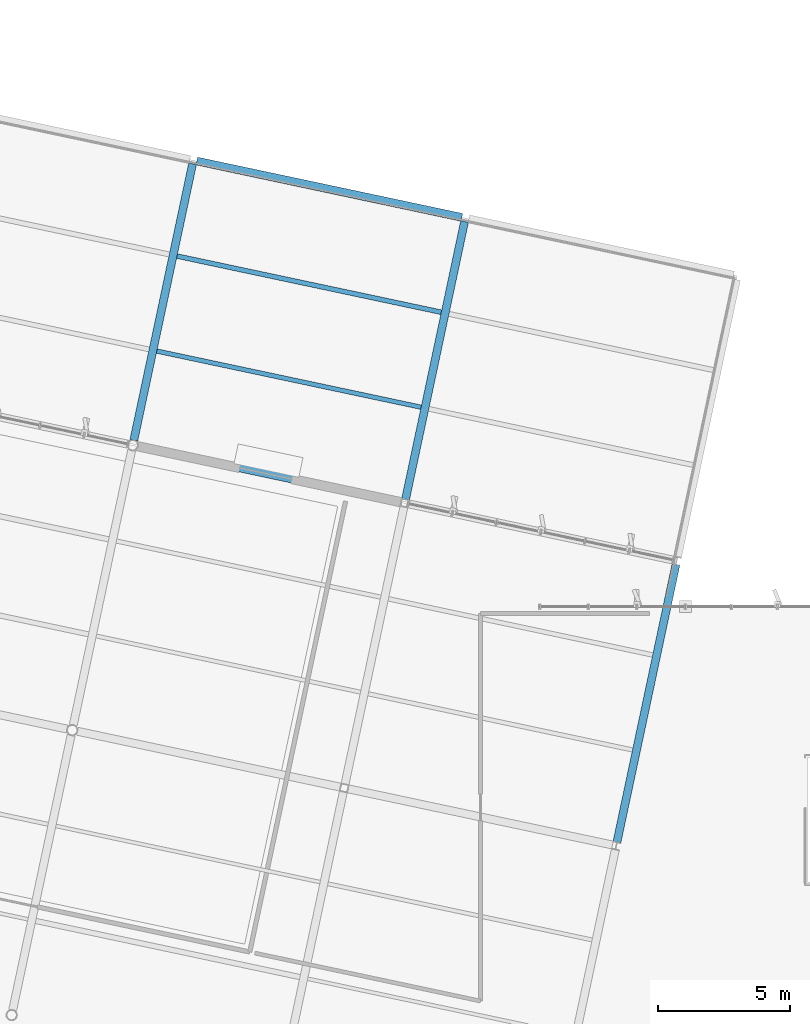
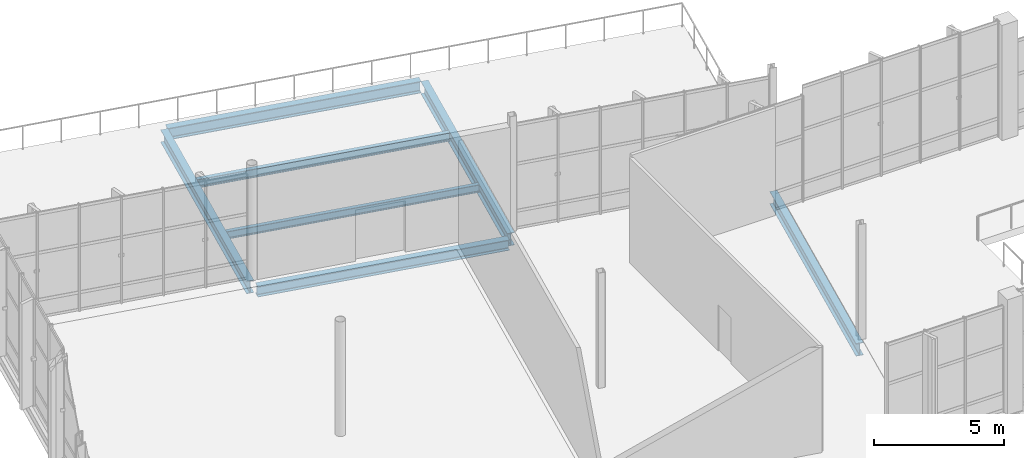
# One storey, part 42 of 176: 7 beams.
"""IFC4 building model written with IfcOpenShell, lengths in metres."""

import ifcopenshell
import ifcopenshell.guid

model = None  # the IFC model being written
_history = None  # IfcOwnerHistory: only IFC2X3 demands one
_inside = {}  # id of a spatial element -> (the spatial element, [elements in it])
_under = {}  # id of a project, library or spatial element -> (it, [spatial elements below it])
_declared = {}  # id of a project -> (the project, [libraries it declares])
_typed = {}  # id of a type object -> (the type object, [elements of that type])
_made_of = {}  # id of a material, layer set ... -> (it, [elements and type objects made of it])


def new_model(schema):
    """Start an empty IFC model of exactly this schema.

    Asked for "IFC4X3", IfcOpenShell would pick the latest addendum, in which some entities
    have other attributes; the version numbers below select the first issue.
    IFC2X3 requires an IfcOwnerHistory on every rooted entity: one is made here for all.
    """
    global model, _history
    if schema == "IFC4X3":
        model = ifcopenshell.file(schema_version=(4, 3, 0, 0))
    else:
        model = ifcopenshell.file(schema=schema)
    _inside.clear()
    _under.clear()
    _declared.clear()
    _typed.clear()
    _made_of.clear()
    _history = None
    if model.schema == "IFC2X3":
        org = make("IfcOrganization", Name="unknown")
        user = make(
            "IfcPersonAndOrganization",
            ThePerson=make("IfcPerson", FamilyName="unknown"),
            TheOrganization=org,
        )
        app = make(
            "IfcApplication",
            ApplicationDeveloper=org,
            Version="unknown",
            ApplicationFullName="unknown",
            ApplicationIdentifier="unknown",
        )
        _history = make(
            "IfcOwnerHistory",
            OwningUser=user,
            OwningApplication=app,
            ChangeAction="ADDED",
            CreationDate=0,
        )
    return model


def make(cls, **values):
    """One entity of the class cls with the attributes given. An attribute that is None is left unset."""
    return model.create_entity(
        cls, **{name: value for name, value in values.items() if value is not None}
    )


def rooted(cls, **values):
    """An entity with a GlobalId (a new one), such as an element, a storey or a relation."""
    return make(cls, GlobalId=ifcopenshell.guid.new(), OwnerHistory=_history, **values)


def si_unit(unit_type, name, prefix=None):
    """IfcSIUnit, for example si_unit("LENGTHUNIT", "METRE", prefix="MILLI")."""
    return make("IfcSIUnit", UnitType=unit_type, Prefix=prefix, Name=name)


def assignment(units):
    """IfcUnitAssignment: the units of a project."""
    return None if units is None else make("IfcUnitAssignment", Units=units)


def point(xyz):
    """IfcCartesianPoint."""
    return None if xyz is None else make("IfcCartesianPoint", Coordinates=xyz)


def direction(xyz):
    """IfcDirection."""
    return None if xyz is None else make("IfcDirection", DirectionRatios=xyz)


def frame(location, z_axis=None, x_axis=None):
    """IfcAxis2Placement3D, a coordinate frame: its origin and axes. An axis left out is left unset."""
    return make(
        "IfcAxis2Placement3D",
        Location=point(location),
        Axis=direction(z_axis),
        RefDirection=direction(x_axis),
    )


def frame_2d(location, x_axis=None):
    """IfcAxis2Placement2D, a coordinate frame in the plane: its origin and x axis."""
    return make(
        "IfcAxis2Placement2D", Location=point(location), RefDirection=direction(x_axis)
    )


def origin():
    """The frame at (0, 0, 0) with its axes left unset."""
    return frame((0.0, 0.0, 0.0))


def origin_2d():
    """The frame at (0, 0) in the plane with its x axis left unset."""
    return frame_2d((0.0, 0.0))


def place(relative_to, where):
    """IfcLocalPlacement: puts the frame where relative to a parent placement (None: the world)."""
    return make(
        "IfcLocalPlacement", PlacementRelTo=relative_to, RelativePlacement=where
    )


def context(
    kind, dimensions, precision=None, world=None, true_north=None, identifier=None
):
    """IfcGeometricRepresentationContext, for example the 3D "Model" context."""
    return make(
        "IfcGeometricRepresentationContext",
        ContextIdentifier=identifier,
        ContextType=kind,
        CoordinateSpaceDimension=dimensions,
        Precision=precision,
        WorldCoordinateSystem=world,
        TrueNorth=true_north,
    )


def subcontext(parent, identifier, kind, view, scale=None):
    """IfcGeometricRepresentationSubContext, for example "Body" below "Model"."""
    return make(
        "IfcGeometricRepresentationSubContext",
        ContextIdentifier=identifier,
        ContextType=kind,
        ParentContext=parent,
        TargetScale=scale,
        TargetView=view,
    )


def project(units=None, contexts=None):
    """IfcProject with its units and contexts."""
    return rooted(
        "IfcProject",
        Name="project",
        RepresentationContexts=contexts,
        UnitsInContext=assignment(units),
    )


def spatial(cls, under=None, at=None, **own):
    """A site, building, storey or space (cls), placed at a placement, below another one or the project."""
    s = rooted(cls, ObjectPlacement=at, **own)
    if under is not None:
        _under.setdefault(under.id(), (under, []))[1].append(s)
    return s


def profile(cls, at=None, kind="AREA", **sizes):
    """A parametric profile (cls). Its sizes go by their IFC names, for example OverallWidth=200.0."""
    return make(cls, ProfileType=kind, Position=at, **sizes)


def i_section(**sizes):
    """IfcIShapeProfileDef."""
    return profile("IfcIShapeProfileDef", **sizes)


def extrude(swept, where, along, depth):
    """IfcExtrudedAreaSolid: the profile swept, set in the frame where, extruded along a direction by depth."""
    return make(
        "IfcExtrudedAreaSolid",
        SweptArea=swept,
        Position=where,
        ExtrudedDirection=direction(along),
        Depth=depth,
    )


def shape(context_of_items, identifier, shape_type, items):
    """IfcShapeRepresentation: the items that make up one representation, for example the "Body"."""
    return make(
        "IfcShapeRepresentation",
        ContextOfItems=context_of_items,
        RepresentationIdentifier=identifier,
        RepresentationType=shape_type,
        Items=items,
    )


def material(Name=None, Category=None):
    """IfcMaterial."""
    return make("IfcMaterial", Name=Name, Category=Category)


def material_profile(
    of_material, cross_section, Name=None, Category=None, Priority=None
):
    """IfcMaterialProfile: a cross section and its material."""
    return make(
        "IfcMaterialProfile",
        Name=Name,
        Material=of_material,
        Profile=cross_section,
        Priority=Priority,
        Category=Category,
    )


def profile_set(profiles, Name=None, composite=None):
    """IfcMaterialProfileSet."""
    return make(
        "IfcMaterialProfileSet",
        Name=Name,
        MaterialProfiles=profiles,
        CompositeProfile=composite,
    )


def made_of(thing, what):
    """Note that an element or type object is made of a material, layer set ...; save() writes the relation."""
    if what is not None:
        _made_of.setdefault(what.id(), (what, []))[1].append(thing)
    return thing


def type_object(cls, material=None, **own):
    """A type object (cls), such as IfcWallType, which elements share."""
    return made_of(rooted(cls, **own), material)


def element(
    cls,
    number,
    at=None,
    inside=None,
    cuts=None,
    type_object=None,
    material=None,
    context=None,
    identifier="Body",
    shape_type=None,
    held_by="IfcProductDefinitionShape",
    body=None,
    shapes=None,
    **own,
):
    """One element of the class cls, such as IfcWall. Its Tag is "e" and its number.

    at: its placement. inside: the storey or other place that contains it. cuts: it is an
    opening in that element (IfcRelVoidsElement). A single representation is given by context,
    identifier, shape_type and body (its items); several are given by shapes. held_by: the class
    of the entity that holds the representations. save() writes the other relations.
    """
    e = rooted(cls, Tag="e%d" % number, ObjectPlacement=at, **own)
    if body is not None:
        shapes = [shape(context, identifier, shape_type, body)]
    if shapes is not None:
        e.Representation = make(held_by, Representations=shapes)
    if inside is not None:
        _inside.setdefault(inside.id(), (inside, []))[1].append(e)
    if cuts is not None:
        rooted(
            "IfcRelVoidsElement", RelatingBuildingElement=cuts, RelatedOpeningElement=e
        )
    if type_object is not None:
        _typed.setdefault(type_object.id(), (type_object, []))[1].append(e)
    return made_of(e, material)


def aggregate(whole, parts):
    """IfcRelAggregates: a whole, such as a stair, and the parts it consists of."""
    return rooted("IfcRelAggregates", RelatingObject=whole, RelatedObjects=parts)


def save(model, path):
    """Write the relations noted so far, then the file.

    IfcRelAggregates (storeys below a building ...), IfcRelContainedInSpatialStructure (elements
    in a storey), IfcRelDefinesByType, IfcRelAssociatesMaterial and IfcRelDeclares: one each for
    every whole, place, type object, material and project.
    """
    for whole, parts in _under.values():
        aggregate(whole, parts)
    for where, things in _inside.values():
        rooted(
            "IfcRelContainedInSpatialStructure",
            RelatedElements=things,
            RelatingStructure=where,
        )
    for kind, things in _typed.values():
        rooted("IfcRelDefinesByType", RelatedObjects=things, RelatingType=kind)
    for what, things in _made_of.values():
        rooted("IfcRelAssociatesMaterial", RelatedObjects=things, RelatingMaterial=what)
    for by, libraries in _declared.values():
        rooted("IfcRelDeclares", RelatingContext=by, RelatedDefinitions=libraries)
    model.write(path)


model = new_model("IFC4")

# Units and contexts
model_context = context("Model", 3, precision=1e-05, world=origin(), true_north=direction((0.0, 1.0)))
body_context = subcontext(model_context, "Body", "Model", "MODEL_VIEW")
ifc_project = project(units=[si_unit("LENGTHUNIT", "METRE"), si_unit("AREAUNIT", "SQUARE_METRE"), si_unit("VOLUMEUNIT", "CUBIC_METRE"), si_unit("PLANEANGLEUNIT", "RADIAN"), si_unit("MASSUNIT", "GRAM", prefix="KILO")], contexts=[model_context])

# Site, building, storey
site_placement = place(None, origin())
site = spatial("IfcSite", under=ifc_project, at=site_placement, CompositionType="ELEMENT")
building_placement = place(site_placement, origin())
building = spatial("IfcBuilding", under=site, at=building_placement, Name="Khorjan Park Terminus", CompositionType="ELEMENT")
storey_placement = place(building_placement, frame((0.0, 0.0, 6.0)))
storey = spatial("IfcBuildingStorey", under=building, at=storey_placement, Name="L01", CompositionType="ELEMENT", Elevation=6.0)

# Beams
ifc_material = material(Name="Steel S355", Category="steel")
ifc_material_profile_1 = material_profile(ifc_material, i_section(OverallWidth=0.3, OverallDepth=0.49, WebThickness=0.012, FlangeThickness=0.023, FilletRadius=0.027, at=origin_2d()), Name="HEA 500")
ifc_profile_set_1 = profile_set([ifc_material_profile_1], Name="Steel S355")
beam_type_1 = type_object("IfcBeamType", Name="BM-HEA500", PredefinedType="BEAM", material=ifc_profile_set_1)
beam_1_placement = place(storey_placement, frame((11.3255, 72.0546, -0.605), z_axis=(0.978148165063, -0.20790903584, 0.0), x_axis=(0.20790903584, 0.978148165063, 0.0)))
element("IfcBeam", 1, at=beam_1_placement, inside=storey, type_object=beam_type_1, Name="Primary skew-grid floor girder SB-A50 (L01)", PredefinedType="BEAM", context=body_context, shape_type="SweptSolid", body=[
    extrude(i_section(OverallWidth=0.3, OverallDepth=0.49, WebThickness=0.012, FlangeThickness=0.023, FilletRadius=0.027, at=origin_2d()), origin(), (0.0, 0.0, 1.0), 10.1568),
])
ifc_material_profile_2 = material_profile(ifc_material, i_section(OverallWidth=0.3, OverallDepth=0.59, WebThickness=0.013, FlangeThickness=0.025, FilletRadius=0.027, at=origin_2d()), Name="HEA 600")
ifc_profile_set_2 = profile_set([ifc_material_profile_2], Name="Steel S355")
beam_type_2 = type_object("IfcBeamType", Name="BM-HEA600", PredefinedType="BEAM", material=ifc_profile_set_2)
beam_2_placement = place(storey_placement, frame((11.1728, 72.2897, -0.555), z_axis=(0.207916050279, 0.978146674091, 0.0), x_axis=(-0.978146674091, 0.207916050279, 0.0)))
element("IfcBeam", 2, at=beam_2_placement, inside=storey, type_object=beam_type_2, Name="Primary skew-grid floor girder SB-A60 (L01)", PredefinedType="BEAM", context=body_context, shape_type="SweptSolid", body=[
    extrude(i_section(OverallWidth=0.3, OverallDepth=0.59, WebThickness=0.013, FlangeThickness=0.025, FilletRadius=0.027, at=origin_2d()), origin(), (0.0, 0.0, 1.0), 10.6668),
])
ifc_material_profile_3 = material_profile(ifc_material, i_section(OverallWidth=0.3, OverallDepth=0.55, WebThickness=0.015, FlangeThickness=0.029, FilletRadius=0.027, at=origin_2d()), Name="HEB 550")
ifc_profile_set_3 = profile_set([ifc_material_profile_3], Name="Steel S355")
beam_type_3 = type_object("IfcBeamType", Name="BM-HEB550", PredefinedType="BEAM", material=ifc_profile_set_3)
beam_3_placement = place(storey_placement, frame((13.5507, 82.8274, -0.535), z_axis=(0.978146551768, -0.207916625754, 0.0), x_axis=(0.207916625754, 0.978146551768, 0.0)))
element("IfcBeam", 3, at=beam_3_placement, inside=storey, type_object=beam_type_3, Name="Primary skew-grid floor girder SB-B55 (L01)", PredefinedType="BEAM", context=body_context, shape_type="SweptSolid", body=[
    extrude(i_section(OverallWidth=0.3, OverallDepth=0.55, WebThickness=0.015, FlangeThickness=0.029, FilletRadius=0.027, at=origin_2d()), origin(), (0.0, 0.0, 1.0), 10.2301),
])
ifc_material_profile_4 = material_profile(ifc_material, i_section(OverallWidth=0.3, OverallDepth=0.6, WebThickness=0.0155, FlangeThickness=0.03, FilletRadius=0.027, at=origin_2d()), Name="HEB 600")
ifc_profile_set_4 = profile_set([ifc_material_profile_4], Name="Steel S355")
beam_type_4 = type_object("IfcBeamType", Name="BM-HEB600", PredefinedType="BEAM", material=ifc_profile_set_4)
beam_4_placement = place(storey_placement, frame((21.4323, 70.0546, -0.56), z_axis=(0.207911303582, 0.978147683043, 0.0), x_axis=(-0.978147683043, 0.207911303582, 0.0)))
element("IfcBeam", 4, at=beam_4_placement, inside=storey, type_object=beam_type_4, Name="Primary skew-grid floor girder SB-B60 (L01)", PredefinedType="BEAM", context=body_context, shape_type="SweptSolid", body=[
    extrude(i_section(OverallWidth=0.3, OverallDepth=0.6, WebThickness=0.0155, FlangeThickness=0.03, FilletRadius=0.027, at=origin_2d()), origin(), (0.0, 0.0, 1.0), 10.72),
])
beam_5_placement = place(storey_placement, frame((29.4159, 57.1119, -0.66), z_axis=(0.207909789374, 0.978148004896, 0.0), x_axis=(-0.978148004896, 0.207909789374, 0.0)))
element("IfcBeam", 5, at=beam_5_placement, inside=storey, type_object=beam_type_4, Name="Primary skew-grid floor girder SB-B60 (L01)", PredefinedType="BEAM", context=body_context, shape_type="SweptSolid", body=[
    extrude(i_section(OverallWidth=0.3, OverallDepth=0.6, WebThickness=0.0155, FlangeThickness=0.03, FilletRadius=0.027, at=origin_2d()), origin(), (0.0, 0.0, 1.0), 10.7099),
])
ifc_material_profile_5 = material_profile(ifc_material, i_section(OverallWidth=0.17, OverallDepth=0.36, WebThickness=0.008, FlangeThickness=0.0127, FilletRadius=0.018, at=origin_2d()), Name="IPE 360")
ifc_profile_set_5 = profile_set([ifc_material_profile_5], Name="Steel S355")
beam_type_5 = type_object("IfcBeamType", Name="JS-IPE360", PredefinedType="JOIST", material=ifc_profile_set_5)
beam_6_placement = place(storey_placement, frame((12.0407, 75.6512, -0.44), z_axis=(0.978147562282, -0.207911871719, 0.0), x_axis=(0.207911871719, 0.978147562282, 0.0)))
element("IfcBeam", 6, at=beam_6_placement, inside=storey, type_object=beam_type_5, Name="Secondary composite floor joist SJ-36 (L01)", PredefinedType="JOIST", context=body_context, shape_type="SweptSolid", body=[
    extrude(i_section(OverallWidth=0.17, OverallDepth=0.36, WebThickness=0.008, FlangeThickness=0.0127, FilletRadius=0.018, at=origin_2d()), origin(), (0.0, 0.0, 1.0), 10.2),
])
ifc_material_profile_6 = material_profile(ifc_material, i_section(OverallWidth=0.18, OverallDepth=0.4, WebThickness=0.0086, FlangeThickness=0.0135, FilletRadius=0.021, at=origin_2d()), Name="IPE 400")
ifc_profile_set_6 = profile_set([ifc_material_profile_6], Name="Steel S355")
beam_type_6 = type_object("IfcBeamType", Name="JS-IPE400", PredefinedType="JOIST", material=ifc_profile_set_6)
beam_7_placement = place(storey_placement, frame((12.803, 79.2377, -0.46), z_axis=(0.978147562282, -0.207911871719, 0.0), x_axis=(0.207911871719, 0.978147562282, 0.0)))
element("IfcBeam", 7, at=beam_7_placement, inside=storey, type_object=beam_type_6, Name="Secondary composite floor joist SJ-40 (L01)", PredefinedType="JOIST", context=body_context, shape_type="SweptSolid", body=[
    extrude(i_section(OverallWidth=0.18, OverallDepth=0.4, WebThickness=0.0086, FlangeThickness=0.0135, FilletRadius=0.021, at=origin_2d()), origin(), (0.0, 0.0, 1.0), 10.2),
])

save(model, "model.ifc")
